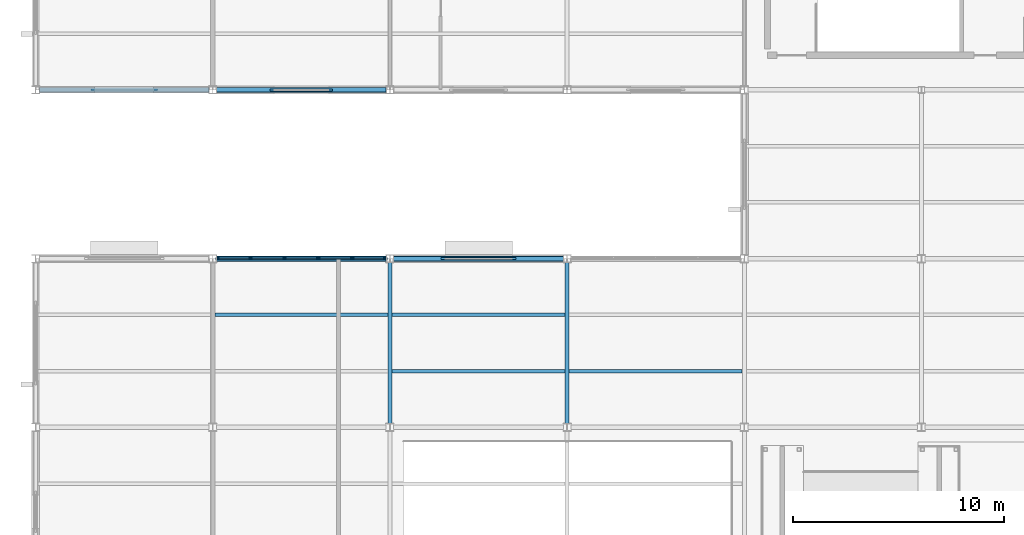
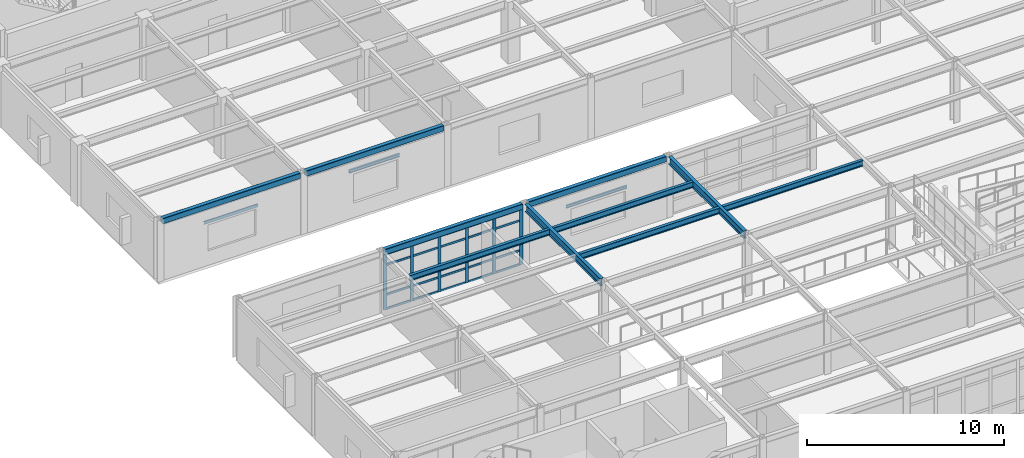
# One storey, part 23 of 138: 26 members, 13 beams, 1 element without a shape of its own.
"""IFC4 building model written with IfcOpenShell, lengths in metres."""

from ifc_helpers import new_model, si_unit, direction, frame, origin, origin_2d, place, context, subcontext, project, spatial, rectangle, hollow_rectangle, i_section, u_section, extrude, material, layer, layer_set, material_profile, profile_set, type_object, element, aggregate, save


model = new_model("IFC4")

# Units and contexts
model_context = context("Model", 3, precision=1e-05, world=origin(), true_north=direction((0.0, 1.0)))
body_context = subcontext(model_context, "Body", "Model", "MODEL_VIEW")
ifc_project = project(units=[si_unit("LENGTHUNIT", "METRE"), si_unit("AREAUNIT", "SQUARE_METRE"), si_unit("VOLUMEUNIT", "CUBIC_METRE"), si_unit("PLANEANGLEUNIT", "RADIAN"), si_unit("MASSUNIT", "GRAM", prefix="KILO")], contexts=[model_context])

# Site, building, storey
site_placement = place(None, origin())
site = spatial("IfcSite", under=ifc_project, at=site_placement, CompositionType="ELEMENT")
building_placement = place(site_placement, origin())
building = spatial("IfcBuilding", under=site, at=building_placement, Name="Kranzveld Transit Interchange", CompositionType="ELEMENT")
storey_placement = place(building_placement, frame((0.0, 0.0, 5.43994140625)))
storey = spatial("IfcBuildingStorey", under=building, at=storey_placement, Name="L01", CompositionType="ELEMENT", Elevation=5.43994140625)

# Beams
ifc_material_1 = material(Name="Steel S355JR", Category="steel")
ifc_material_profile_1 = material_profile(ifc_material_1, i_section(OverallWidth=0.19189453125, OverallDepth=0.46337890625, WebThickness=0.010498046875, FlangeThickness=0.017578125, FilletRadius=0.01025390625, at=origin_2d()), Name="UB 457x191x89")
ifc_profile_set_1 = profile_set([ifc_material_profile_1], Name="Steel S355JR")
beam_type_1 = type_object("IfcBeamType", Name="Beam Steel UB 457x191x89 S355JR", PredefinedType="BEAM", material=ifc_profile_set_1)
for number, where, z_axis, x_axis, name in (
    (1, (16.800048828125, 32.17724609375, 3.568359375), (0.0, 1.0, 0.0), (-1.0, 0.0, 0.0), "L01 Girder 03/E-F"),
    (2, (25.199951171875, 32.17724609375, 3.568359375), (0.0, 1.0, 0.0), (-1.0, 0.0, 0.0), "L01 Girder 04/E-F"),
):
    element("IfcBeam", number, at=place(storey_placement, frame(where, z_axis=z_axis, x_axis=x_axis)), inside=storey, type_object=beam_type_1, Name=name, PredefinedType="BEAM", context=body_context, shape_type="SweptSolid", body=[
        extrude(i_section(OverallWidth=0.19189453125, OverallDepth=0.46337890625, WebThickness=0.010498046875, FlangeThickness=0.017578125, FilletRadius=0.01025390625, at=origin_2d()), origin(), (0.0, 0.0, 1.0), 7.6455078125),
    ])

# Curtain wall, members
ifc_material_2 = material(Name="Bronze-anodised thermally broken aluminium", Category="aluminium")
ifc_layer = layer(ifc_material_2, 0.1650390625)
ifc_layer_set = layer_set([ifc_layer], Name="Bronze-anodised thermally broken aluminium")
curtain_wall_type = type_object("IfcCurtainWallType", Name="Sunny Court Arcade Curtain Wall CW-2", PredefinedType="USERDEFINED", material=ifc_layer_set)
curtain_wall_placement = place(storey_placement, origin())
curtain_wall = element("IfcCurtainWall", 3, at=curtain_wall_placement, inside=storey, type_object=curtain_wall_type, Name="L01 Curtain Wall 02/F-03/F", ObjectType="CURTAIN WALL", PredefinedType="USERDEFINED")
ifc_material_3 = material(Name="Bronze-anodised thermally broken aluminium", Category="aluminium")
ifc_material_profile_2 = material_profile(ifc_material_3, rectangle(XDim=0.06494140625, YDim=0.179931640625, at=origin_2d()), Name="ALU MULLION 65x180")
ifc_profile_set_2 = profile_set([ifc_material_profile_2], Name="Bronze-anodised thermally broken aluminium")
member_type_1 = type_object("IfcMemberType", Name="Curtain Wall Mullion 65x180 Alu", PredefinedType="MULLION", material=ifc_profile_set_2)
member_1_placement = place(storey_placement, frame((8.619873046875, 40.0, 0.0), z_axis=(0.0, 0.0, 1.0), x_axis=(0.0, 1.0, 0.0)))
member_1 = element("IfcMember", 4, at=member_1_placement, type_object=member_type_1, Name="CW-2 mullion 1", PredefinedType="MULLION", context=body_context, shape_type="SweptSolid", body=[
    extrude(rectangle(XDim=0.06494140625, YDim=0.179931640625, at=origin_2d()), origin(), (0.0, 0.0, 1.0), 3.449951171875),
])
member_2_placement = place(storey_placement, frame((10.1923828125, 40.0, 0.0), z_axis=(0.0, 0.0, 1.0), x_axis=(0.0, 1.0, 0.0)))
member_2 = element("IfcMember", 5, at=member_2_placement, type_object=member_type_1, Name="CW-2 mullion 2", PredefinedType="MULLION", context=body_context, shape_type="SweptSolid", body=[
    extrude(rectangle(XDim=0.06494140625, YDim=0.179931640625, at=origin_2d()), origin(), (0.0, 0.0, 1.0), 3.449951171875),
])
member_3_placement = place(storey_placement, frame((11.79736328125, 40.0, 0.0), z_axis=(0.0, 0.0, 1.0), x_axis=(0.0, 1.0, 0.0)))
member_3 = element("IfcMember", 6, at=member_3_placement, type_object=member_type_1, Name="CW-2 mullion 3", PredefinedType="MULLION", context=body_context, shape_type="SweptSolid", body=[
    extrude(rectangle(XDim=0.06494140625, YDim=0.179931640625, at=origin_2d()), origin(), (0.0, 0.0, 1.0), 3.449951171875),
])
member_4_placement = place(storey_placement, frame((13.402587890625, 40.0, 0.0), z_axis=(0.0, 0.0, 1.0), x_axis=(0.0, 1.0, 0.0)))
member_4 = element("IfcMember", 7, at=member_4_placement, type_object=member_type_1, Name="CW-2 mullion 4", PredefinedType="MULLION", context=body_context, shape_type="SweptSolid", body=[
    extrude(rectangle(XDim=0.06494140625, YDim=0.179931640625, at=origin_2d()), origin(), (0.0, 0.0, 1.0), 3.449951171875),
])
member_5_placement = place(storey_placement, frame((15.007568359375, 40.0, 0.0), z_axis=(0.0, 0.0, 1.0), x_axis=(0.0, 1.0, 0.0)))
member_5 = element("IfcMember", 8, at=member_5_placement, type_object=member_type_1, Name="CW-2 mullion 5", PredefinedType="MULLION", context=body_context, shape_type="SweptSolid", body=[
    extrude(rectangle(XDim=0.06494140625, YDim=0.179931640625, at=origin_2d()), origin(), (0.0, 0.0, 1.0), 3.449951171875),
])
member_6_placement = place(storey_placement, frame((16.580078125, 40.0, 0.0), z_axis=(0.0, 0.0, 1.0), x_axis=(0.0, 1.0, 0.0)))
member_6 = element("IfcMember", 9, at=member_6_placement, type_object=member_type_1, Name="CW-2 mullion 6", PredefinedType="MULLION", context=body_context, shape_type="SweptSolid", body=[
    extrude(rectangle(XDim=0.06494140625, YDim=0.179931640625, at=origin_2d()), origin(), (0.0, 0.0, 1.0), 3.449951171875),
])
ifc_material_4 = material(Name="Bronze-anodised thermally broken aluminium", Category="aluminium")
ifc_material_profile_3 = material_profile(ifc_material_4, rectangle(XDim=0.06005859375, YDim=0.125, at=origin_2d()), Name="ALU TRANSOM 60x125")
ifc_profile_set_3 = profile_set([ifc_material_profile_3], Name="Bronze-anodised thermally broken aluminium")
member_type_2 = type_object("IfcMemberType", Name="Curtain Wall Transom 60x125 Alu", PredefinedType="USERDEFINED", material=ifc_profile_set_3)
member_7_placement = place(storey_placement, frame((8.65234375, 40.0, 0.030029296875), z_axis=(1.0, 0.0, 0.0), x_axis=(0.0, 1.0, 0.0)))
member_7 = element("IfcMember", 10, at=member_7_placement, type_object=member_type_2, Name="CW-2 transom 1.1", ObjectType="TRANSOM", PredefinedType="USERDEFINED", context=body_context, shape_type="SweptSolid", body=[
    extrude(rectangle(XDim=0.06005859375, YDim=0.125, at=origin_2d()), origin(), (0.0, 0.0, 1.0), 1.507568359375),
])
member_8_placement = place(storey_placement, frame((8.65234375, 40.0, 0.900146484375), z_axis=(1.0, 0.0, 0.0), x_axis=(0.0, 1.0, 0.0)))
member_8 = element("IfcMember", 11, at=member_8_placement, type_object=member_type_2, Name="CW-2 transom 1.2", ObjectType="TRANSOM", PredefinedType="USERDEFINED", context=body_context, shape_type="SweptSolid", body=[
    extrude(rectangle(XDim=0.06005859375, YDim=0.125, at=origin_2d()), origin(), (0.0, 0.0, 1.0), 1.507568359375),
])
member_9_placement = place(storey_placement, frame((8.65234375, 40.0, 2.75), z_axis=(1.0, 0.0, 0.0), x_axis=(0.0, 1.0, 0.0)))
member_9 = element("IfcMember", 12, at=member_9_placement, type_object=member_type_2, Name="CW-2 transom 1.3", ObjectType="TRANSOM", PredefinedType="USERDEFINED", context=body_context, shape_type="SweptSolid", body=[
    extrude(rectangle(XDim=0.06005859375, YDim=0.125, at=origin_2d()), origin(), (0.0, 0.0, 1.0), 1.507568359375),
])
member_10_placement = place(storey_placement, frame((8.65234375, 40.0, 3.420166015625), z_axis=(1.0, 0.0, 0.0), x_axis=(0.0, 1.0, 0.0)))
member_10 = element("IfcMember", 13, at=member_10_placement, type_object=member_type_2, Name="CW-2 transom 1.4", ObjectType="TRANSOM", PredefinedType="USERDEFINED", context=body_context, shape_type="SweptSolid", body=[
    extrude(rectangle(XDim=0.06005859375, YDim=0.125, at=origin_2d()), origin(), (0.0, 0.0, 1.0), 1.507568359375),
])
member_11_placement = place(storey_placement, frame((10.224853515625, 40.0, 0.030029296875), z_axis=(1.0, 0.0, 0.0), x_axis=(0.0, 1.0, 0.0)))
member_11 = element("IfcMember", 14, at=member_11_placement, type_object=member_type_2, Name="CW-2 transom 2.1", ObjectType="TRANSOM", PredefinedType="USERDEFINED", context=body_context, shape_type="SweptSolid", body=[
    extrude(rectangle(XDim=0.06005859375, YDim=0.125, at=origin_2d()), origin(), (0.0, 0.0, 1.0), 1.5400390625),
])
member_12_placement = place(storey_placement, frame((10.224853515625, 40.0, 0.900146484375), z_axis=(1.0, 0.0, 0.0), x_axis=(0.0, 1.0, 0.0)))
member_12 = element("IfcMember", 15, at=member_12_placement, type_object=member_type_2, Name="CW-2 transom 2.2", ObjectType="TRANSOM", PredefinedType="USERDEFINED", context=body_context, shape_type="SweptSolid", body=[
    extrude(rectangle(XDim=0.06005859375, YDim=0.125, at=origin_2d()), origin(), (0.0, 0.0, 1.0), 1.5400390625),
])
member_13_placement = place(storey_placement, frame((10.224853515625, 40.0, 2.75), z_axis=(1.0, 0.0, 0.0), x_axis=(0.0, 1.0, 0.0)))
member_13 = element("IfcMember", 16, at=member_13_placement, type_object=member_type_2, Name="CW-2 transom 2.3", ObjectType="TRANSOM", PredefinedType="USERDEFINED", context=body_context, shape_type="SweptSolid", body=[
    extrude(rectangle(XDim=0.06005859375, YDim=0.125, at=origin_2d()), origin(), (0.0, 0.0, 1.0), 1.5400390625),
])
member_14_placement = place(storey_placement, frame((10.224853515625, 40.0, 3.420166015625), z_axis=(1.0, 0.0, 0.0), x_axis=(0.0, 1.0, 0.0)))
member_14 = element("IfcMember", 17, at=member_14_placement, type_object=member_type_2, Name="CW-2 transom 2.4", ObjectType="TRANSOM", PredefinedType="USERDEFINED", context=body_context, shape_type="SweptSolid", body=[
    extrude(rectangle(XDim=0.06005859375, YDim=0.125, at=origin_2d()), origin(), (0.0, 0.0, 1.0), 1.5400390625),
])
member_15_placement = place(storey_placement, frame((11.830078125, 40.0, 0.030029296875), z_axis=(1.0, 0.0, 0.0), x_axis=(0.0, 1.0, 0.0)))
member_15 = element("IfcMember", 18, at=member_15_placement, type_object=member_type_2, Name="CW-2 transom 3.1", ObjectType="TRANSOM", PredefinedType="USERDEFINED", context=body_context, shape_type="SweptSolid", body=[
    extrude(rectangle(XDim=0.06005859375, YDim=0.125, at=origin_2d()), origin(), (0.0, 0.0, 1.0), 1.5400390625),
])
member_16_placement = place(storey_placement, frame((11.830078125, 40.0, 0.900146484375), z_axis=(1.0, 0.0, 0.0), x_axis=(0.0, 1.0, 0.0)))
member_16 = element("IfcMember", 19, at=member_16_placement, type_object=member_type_2, Name="CW-2 transom 3.2", ObjectType="TRANSOM", PredefinedType="USERDEFINED", context=body_context, shape_type="SweptSolid", body=[
    extrude(rectangle(XDim=0.06005859375, YDim=0.125, at=origin_2d()), origin(), (0.0, 0.0, 1.0), 1.5400390625),
])
member_17_placement = place(storey_placement, frame((11.830078125, 40.0, 2.75), z_axis=(1.0, 0.0, 0.0), x_axis=(0.0, 1.0, 0.0)))
member_17 = element("IfcMember", 20, at=member_17_placement, type_object=member_type_2, Name="CW-2 transom 3.3", ObjectType="TRANSOM", PredefinedType="USERDEFINED", context=body_context, shape_type="SweptSolid", body=[
    extrude(rectangle(XDim=0.06005859375, YDim=0.125, at=origin_2d()), origin(), (0.0, 0.0, 1.0), 1.5400390625),
])
member_18_placement = place(storey_placement, frame((11.830078125, 40.0, 3.420166015625), z_axis=(1.0, 0.0, 0.0), x_axis=(0.0, 1.0, 0.0)))
member_18 = element("IfcMember", 21, at=member_18_placement, type_object=member_type_2, Name="CW-2 transom 3.4", ObjectType="TRANSOM", PredefinedType="USERDEFINED", context=body_context, shape_type="SweptSolid", body=[
    extrude(rectangle(XDim=0.06005859375, YDim=0.125, at=origin_2d()), origin(), (0.0, 0.0, 1.0), 1.5400390625),
])
member_19_placement = place(storey_placement, frame((13.43505859375, 40.0, 0.030029296875), z_axis=(1.0, 0.0, 0.0), x_axis=(0.0, 1.0, 0.0)))
member_19 = element("IfcMember", 22, at=member_19_placement, type_object=member_type_2, Name="CW-2 transom 4.1", ObjectType="TRANSOM", PredefinedType="USERDEFINED", context=body_context, shape_type="SweptSolid", body=[
    extrude(rectangle(XDim=0.06005859375, YDim=0.125, at=origin_2d()), origin(), (0.0, 0.0, 1.0), 1.5400390625),
])
member_20_placement = place(storey_placement, frame((13.43505859375, 40.0, 0.900146484375), z_axis=(1.0, 0.0, 0.0), x_axis=(0.0, 1.0, 0.0)))
member_20 = element("IfcMember", 23, at=member_20_placement, type_object=member_type_2, Name="CW-2 transom 4.2", ObjectType="TRANSOM", PredefinedType="USERDEFINED", context=body_context, shape_type="SweptSolid", body=[
    extrude(rectangle(XDim=0.06005859375, YDim=0.125, at=origin_2d()), origin(), (0.0, 0.0, 1.0), 1.5400390625),
])
member_21_placement = place(storey_placement, frame((13.43505859375, 40.0, 2.75), z_axis=(1.0, 0.0, 0.0), x_axis=(0.0, 1.0, 0.0)))
member_21 = element("IfcMember", 24, at=member_21_placement, type_object=member_type_2, Name="CW-2 transom 4.3", ObjectType="TRANSOM", PredefinedType="USERDEFINED", context=body_context, shape_type="SweptSolid", body=[
    extrude(rectangle(XDim=0.06005859375, YDim=0.125, at=origin_2d()), origin(), (0.0, 0.0, 1.0), 1.5400390625),
])
member_22_placement = place(storey_placement, frame((13.43505859375, 40.0, 3.420166015625), z_axis=(1.0, 0.0, 0.0), x_axis=(0.0, 1.0, 0.0)))
member_22 = element("IfcMember", 25, at=member_22_placement, type_object=member_type_2, Name="CW-2 transom 4.4", ObjectType="TRANSOM", PredefinedType="USERDEFINED", context=body_context, shape_type="SweptSolid", body=[
    extrude(rectangle(XDim=0.06005859375, YDim=0.125, at=origin_2d()), origin(), (0.0, 0.0, 1.0), 1.5400390625),
])
member_23_placement = place(storey_placement, frame((15.0400390625, 40.0, 0.030029296875), z_axis=(1.0, 0.0, 0.0), x_axis=(0.0, 1.0, 0.0)))
member_23 = element("IfcMember", 26, at=member_23_placement, type_object=member_type_2, Name="CW-2 transom 5.1", ObjectType="TRANSOM", PredefinedType="USERDEFINED", context=body_context, shape_type="SweptSolid", body=[
    extrude(rectangle(XDim=0.06005859375, YDim=0.125, at=origin_2d()), origin(), (0.0, 0.0, 1.0), 1.507568359375),
])
member_24_placement = place(storey_placement, frame((15.0400390625, 40.0, 0.900146484375), z_axis=(1.0, 0.0, 0.0), x_axis=(0.0, 1.0, 0.0)))
member_24 = element("IfcMember", 27, at=member_24_placement, type_object=member_type_2, Name="CW-2 transom 5.2", ObjectType="TRANSOM", PredefinedType="USERDEFINED", context=body_context, shape_type="SweptSolid", body=[
    extrude(rectangle(XDim=0.06005859375, YDim=0.125, at=origin_2d()), origin(), (0.0, 0.0, 1.0), 1.507568359375),
])
member_25_placement = place(storey_placement, frame((15.0400390625, 40.0, 2.75), z_axis=(1.0, 0.0, 0.0), x_axis=(0.0, 1.0, 0.0)))
member_25 = element("IfcMember", 28, at=member_25_placement, type_object=member_type_2, Name="CW-2 transom 5.3", ObjectType="TRANSOM", PredefinedType="USERDEFINED", context=body_context, shape_type="SweptSolid", body=[
    extrude(rectangle(XDim=0.06005859375, YDim=0.125, at=origin_2d()), origin(), (0.0, 0.0, 1.0), 1.507568359375),
])
member_26_placement = place(storey_placement, frame((15.0400390625, 40.0, 3.420166015625), z_axis=(1.0, 0.0, 0.0), x_axis=(0.0, 1.0, 0.0)))
member_26 = element("IfcMember", 29, at=member_26_placement, type_object=member_type_2, Name="CW-2 transom 5.4", ObjectType="TRANSOM", PredefinedType="USERDEFINED", context=body_context, shape_type="SweptSolid", body=[
    extrude(rectangle(XDim=0.06005859375, YDim=0.125, at=origin_2d()), origin(), (0.0, 0.0, 1.0), 1.507568359375),
])
aggregate(curtain_wall, [member_1, member_2, member_3, member_4, member_5, member_6, member_7, member_8, member_9, member_10, member_11, member_12, member_13, member_14, member_15, member_16, member_17, member_18, member_19, member_20, member_21, member_22, member_23, member_24, member_25, member_26])

# Beams
ifc_material_5 = material(Name="Steel S355JR", Category="steel")
ifc_material_profile_4 = material_profile(ifc_material_5, hollow_rectangle(XDim=0.25, YDim=0.35009765625, WallThickness=0.012451171875, InnerFilletRadius=0.018798828125, OuterFilletRadius=0.03125, at=origin_2d()), Name="RHS 350x250x12.5")
ifc_profile_set_4 = profile_set([ifc_material_profile_4], Name="Steel S355JR")
beam_type_2 = type_object("IfcBeamType", Name="Edge Spandrel RHS 350x250x12.5 S355JR", PredefinedType="SPANDREL", material=ifc_profile_set_4)
for number, where, z_axis, x_axis, name in (
    (30, (8.577392578125, 40.0, 3.625), (1.0, 0.0, 0.0), (0.0, 1.0, 0.0), "L01 Girder 02-03/F"),
    (31, (16.977294921875, 40.0, 3.625), (1.0, 0.0, 0.0), (0.0, 1.0, 0.0), "L01 Girder 03-04/F"),
    (32, (0.17724609375, 48.0, 3.625), (1.0, 0.0, 0.0), (0.0, 1.0, 0.0), "L01 Girder 01-02/G"),
    (33, (8.577392578125, 48.0, 3.625), (1.0, 0.0, 0.0), (0.0, 1.0, 0.0), "L01 Girder 02-03/G"),
):
    element("IfcBeam", number, at=place(storey_placement, frame(where, z_axis=z_axis, x_axis=x_axis)), inside=storey, type_object=beam_type_2, Name=name, PredefinedType="SPANDREL", context=body_context, shape_type="SweptSolid", body=[
        extrude(hollow_rectangle(XDim=0.25, YDim=0.35009765625, WallThickness=0.012451171875, InnerFilletRadius=0.018798828125, OuterFilletRadius=0.03125, at=origin_2d()), origin(), (0.0, 0.0, 1.0), 8.04541015625),
    ])
ifc_material_6 = material(Name="Steel S355JR", Category="steel")
ifc_material_profile_5 = material_profile(ifc_material_6, i_section(OverallWidth=0.172119140625, OverallDepth=0.35791015625, WebThickness=0.008056640625, FlangeThickness=0.012939453125, FilletRadius=0.01025390625, at=origin_2d()), Name="UB 356x171x57")
ifc_profile_set_5 = profile_set([ifc_material_profile_5], Name="Steel S355JR")
beam_type_3 = type_object("IfcBeamType", Name="Floor Joist UB 356x171x57 S355JR", PredefinedType="JOIST", material=ifc_profile_set_5)
for number, where, z_axis, x_axis, name in (
    (34, (8.498046875, 37.333251953125, 3.62109375), (1.0, 0.0, 0.0), (0.0, 1.0, 0.0), "L01 Secondary Joist 02-03/E.2"),
    (35, (16.89794921875, 34.666748046875, 3.62109375), (1.0, 0.0, 0.0), (0.0, 1.0, 0.0), "L01 Secondary Joist 03-04/E.1"),
    (36, (16.89794921875, 37.333251953125, 3.62109375), (1.0, 0.0, 0.0), (0.0, 1.0, 0.0), "L01 Secondary Joist 03-04/E.2"),
    (37, (25.2978515625, 34.666748046875, 3.62109375), (1.0, 0.0, 0.0), (0.0, 1.0, 0.0), "L01 Secondary Joist 04-05/E.1"),
):
    element("IfcBeam", number, at=place(storey_placement, frame(where, z_axis=z_axis, x_axis=x_axis)), inside=storey, type_object=beam_type_3, Name=name, PredefinedType="JOIST", context=body_context, shape_type="SweptSolid", body=[
        extrude(i_section(OverallWidth=0.172119140625, OverallDepth=0.35791015625, WebThickness=0.008056640625, FlangeThickness=0.012939453125, FilletRadius=0.01025390625, at=origin_2d()), origin(), (0.0, 0.0, 1.0), 8.2041015625),
    ])
ifc_material_7 = material(Name="Steel S355JR", Category="steel")
ifc_material_profile_6 = material_profile(ifc_material_7, u_section(Depth=0.179931640625, FlangeWidth=0.070068359375, WebThickness=0.007080078125, FlangeThickness=0.010986328125, FilletRadius=0.010009765625, at=origin_2d()), Name="PFC 180x70x22")
ifc_profile_set_6 = profile_set([ifc_material_profile_6], Name="Steel S355JR")
beam_type_4 = type_object("IfcBeamType", Name="Masonry Lintel PFC 180x70x22 S355JR", PredefinedType="LINTEL", material=ifc_profile_set_6)
beam_1_placement = place(storey_placement, frame((2.6201171875, 48.0, 2.594970703125), z_axis=(1.0, 0.0, 0.0), x_axis=(0.0, 1.0, 0.0)))
element("IfcBeam", 38, at=beam_1_placement, inside=storey, type_object=beam_type_4, Name="L01 Window Lintel 065", PredefinedType="LINTEL", context=body_context, shape_type="SweptSolid", body=[
    extrude(u_section(Depth=0.179931640625, FlangeWidth=0.070068359375, WebThickness=0.007080078125, FlangeThickness=0.010986328125, FilletRadius=0.010009765625, at=origin_2d()), origin(), (0.0, 0.0, 1.0), 3.159912109375),
])
ifc_material_8 = material(Name="Steel S355JR", Category="steel")
ifc_material_profile_7 = material_profile(ifc_material_8, i_section(OverallWidth=0.091064453125, OverallDepth=0.179931640625, WebThickness=0.00537109375, FlangeThickness=0.008056640625, FilletRadius=0.009033203125, at=origin_2d()), Name="IPE 180")
ifc_profile_set_7 = profile_set([ifc_material_profile_7], Name="Steel S355JR")
beam_type_5 = type_object("IfcBeamType", Name="Opening Lintel IPE 180 S355JR", PredefinedType="LINTEL", material=ifc_profile_set_7)
beam_2_placement = place(storey_placement, frame((19.219970703125, 40.0, 2.64501953125), z_axis=(1.0, 0.0, 0.0), x_axis=(0.0, 1.0, 0.0)))
element("IfcBeam", 39, at=beam_2_placement, inside=storey, type_object=beam_type_5, Name="L01 Window Lintel 063", PredefinedType="LINTEL", context=body_context, shape_type="SweptSolid", body=[
    extrude(i_section(OverallWidth=0.091064453125, OverallDepth=0.179931640625, WebThickness=0.00537109375, FlangeThickness=0.008056640625, FilletRadius=0.009033203125, at=origin_2d()), origin(), (0.0, 0.0, 1.0), 3.56005859375),
])
ifc_material_9 = material(Name="Steel S355JR", Category="steel")
ifc_material_profile_8 = material_profile(ifc_material_9, i_section(OverallWidth=0.10009765625, OverallDepth=0.199951171875, WebThickness=0.005615234375, FlangeThickness=0.008544921875, FilletRadius=0.011962890625, at=origin_2d()), Name="IPE 200")
ifc_profile_set_8 = profile_set([ifc_material_profile_8], Name="Steel S355JR")
beam_type_6 = type_object("IfcBeamType", Name="Opening Lintel IPE 200 S355JR", PredefinedType="LINTEL", material=ifc_profile_set_8)
beam_3_placement = place(storey_placement, frame((11.1201171875, 48.0, 2.80517578125), z_axis=(1.0, 0.0, 0.0), x_axis=(0.0, 1.0, 0.0)))
element("IfcBeam", 40, at=beam_3_placement, inside=storey, type_object=beam_type_6, Name="L01 Window Lintel 066", PredefinedType="LINTEL", context=body_context, shape_type="SweptSolid", body=[
    extrude(i_section(OverallWidth=0.10009765625, OverallDepth=0.199951171875, WebThickness=0.005615234375, FlangeThickness=0.008544921875, FilletRadius=0.011962890625, at=origin_2d()), origin(), (0.0, 0.0, 1.0), 2.9599609375),
])

save(model, "model.ifc")
